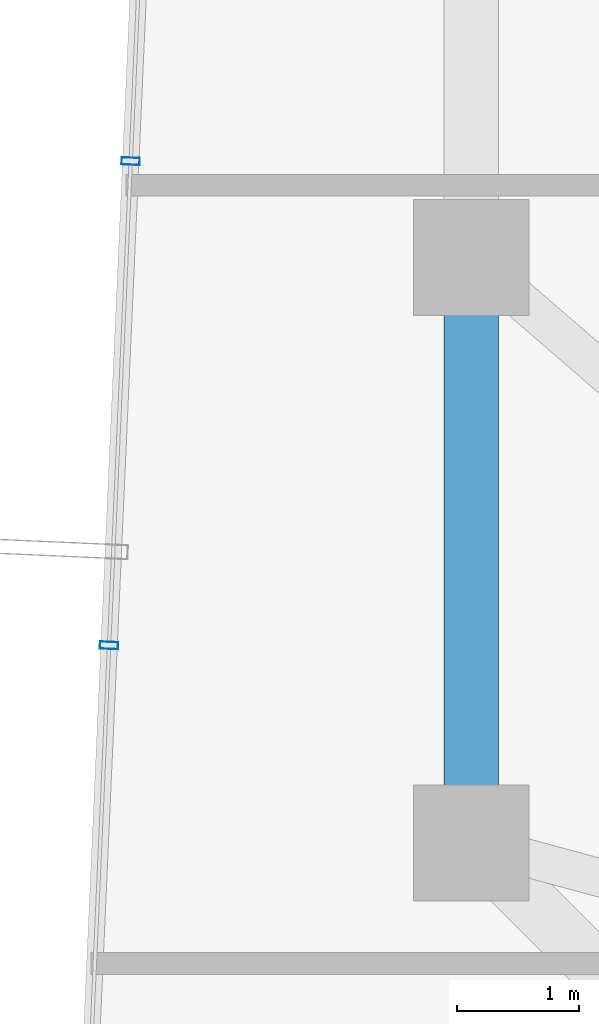
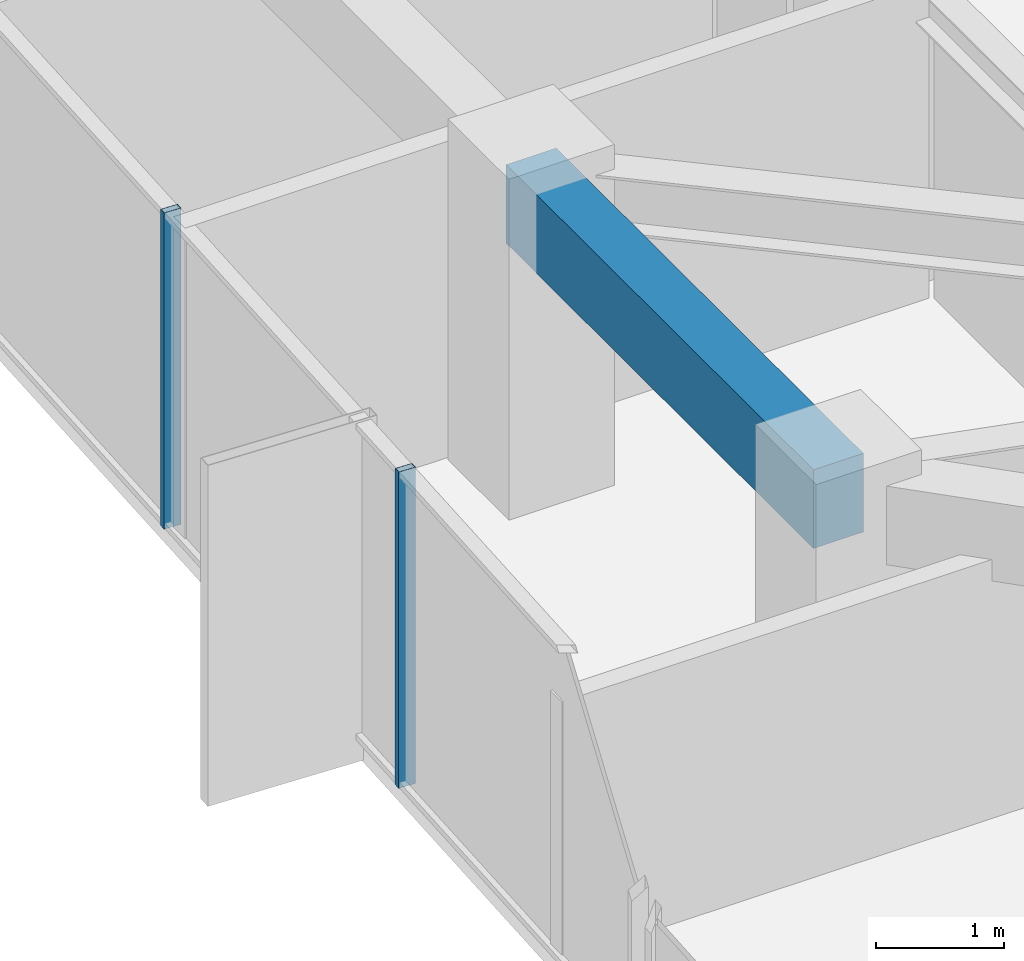
# One storey, part 11 of 29: 2 members, 1 beam, 1 element without a shape of its own.
"""IFC4 building model written with IfcOpenShell, lengths in metres."""

import ifcopenshell
import ifcopenshell.guid

model = None  # the IFC model being written
_history = None  # IfcOwnerHistory: only IFC2X3 demands one
_inside = {}  # id of a spatial element -> (the spatial element, [elements in it])
_under = {}  # id of a project, library or spatial element -> (it, [spatial elements below it])
_declared = {}  # id of a project -> (the project, [libraries it declares])
_typed = {}  # id of a type object -> (the type object, [elements of that type])
_made_of = {}  # id of a material, layer set ... -> (it, [elements and type objects made of it])


def new_model(schema):
    """Start an empty IFC model of exactly this schema.

    Asked for "IFC4X3", IfcOpenShell would pick the latest addendum, in which some entities
    have other attributes; the version numbers below select the first issue.
    IFC2X3 requires an IfcOwnerHistory on every rooted entity: one is made here for all.
    """
    global model, _history
    if schema == "IFC4X3":
        model = ifcopenshell.file(schema_version=(4, 3, 0, 0))
    else:
        model = ifcopenshell.file(schema=schema)
    _inside.clear()
    _under.clear()
    _declared.clear()
    _typed.clear()
    _made_of.clear()
    _history = None
    if model.schema == "IFC2X3":
        org = make("IfcOrganization", Name="unknown")
        user = make(
            "IfcPersonAndOrganization",
            ThePerson=make("IfcPerson", FamilyName="unknown"),
            TheOrganization=org,
        )
        app = make(
            "IfcApplication",
            ApplicationDeveloper=org,
            Version="unknown",
            ApplicationFullName="unknown",
            ApplicationIdentifier="unknown",
        )
        _history = make(
            "IfcOwnerHistory",
            OwningUser=user,
            OwningApplication=app,
            ChangeAction="ADDED",
            CreationDate=0,
        )
    return model


def make(cls, **values):
    """One entity of the class cls with the attributes given. An attribute that is None is left unset."""
    return model.create_entity(
        cls, **{name: value for name, value in values.items() if value is not None}
    )


def rooted(cls, **values):
    """An entity with a GlobalId (a new one), such as an element, a storey or a relation."""
    return make(cls, GlobalId=ifcopenshell.guid.new(), OwnerHistory=_history, **values)


def si_unit(unit_type, name, prefix=None):
    """IfcSIUnit, for example si_unit("LENGTHUNIT", "METRE", prefix="MILLI")."""
    return make("IfcSIUnit", UnitType=unit_type, Prefix=prefix, Name=name)


def assignment(units):
    """IfcUnitAssignment: the units of a project."""
    return None if units is None else make("IfcUnitAssignment", Units=units)


def point(xyz):
    """IfcCartesianPoint."""
    return None if xyz is None else make("IfcCartesianPoint", Coordinates=xyz)


def direction(xyz):
    """IfcDirection."""
    return None if xyz is None else make("IfcDirection", DirectionRatios=xyz)


def frame(location, z_axis=None, x_axis=None):
    """IfcAxis2Placement3D, a coordinate frame: its origin and axes. An axis left out is left unset."""
    return make(
        "IfcAxis2Placement3D",
        Location=point(location),
        Axis=direction(z_axis),
        RefDirection=direction(x_axis),
    )


def frame_2d(location, x_axis=None):
    """IfcAxis2Placement2D, a coordinate frame in the plane: its origin and x axis."""
    return make(
        "IfcAxis2Placement2D", Location=point(location), RefDirection=direction(x_axis)
    )


def origin():
    """The frame at (0, 0, 0) with its axes left unset."""
    return frame((0.0, 0.0, 0.0))


def origin_2d():
    """The frame at (0, 0) in the plane with its x axis left unset."""
    return frame_2d((0.0, 0.0))


def place(relative_to, where):
    """IfcLocalPlacement: puts the frame where relative to a parent placement (None: the world)."""
    return make(
        "IfcLocalPlacement", PlacementRelTo=relative_to, RelativePlacement=where
    )


def context(
    kind, dimensions, precision=None, world=None, true_north=None, identifier=None
):
    """IfcGeometricRepresentationContext, for example the 3D "Model" context."""
    return make(
        "IfcGeometricRepresentationContext",
        ContextIdentifier=identifier,
        ContextType=kind,
        CoordinateSpaceDimension=dimensions,
        Precision=precision,
        WorldCoordinateSystem=world,
        TrueNorth=true_north,
    )


def subcontext(parent, identifier, kind, view, scale=None):
    """IfcGeometricRepresentationSubContext, for example "Body" below "Model"."""
    return make(
        "IfcGeometricRepresentationSubContext",
        ContextIdentifier=identifier,
        ContextType=kind,
        ParentContext=parent,
        TargetScale=scale,
        TargetView=view,
    )


def project(units=None, contexts=None):
    """IfcProject with its units and contexts."""
    return rooted(
        "IfcProject",
        Name="project",
        RepresentationContexts=contexts,
        UnitsInContext=assignment(units),
    )


def spatial(cls, under=None, at=None, **own):
    """A site, building, storey or space (cls), placed at a placement, below another one or the project."""
    s = rooted(cls, ObjectPlacement=at, **own)
    if under is not None:
        _under.setdefault(under.id(), (under, []))[1].append(s)
    return s


def profile(cls, at=None, kind="AREA", **sizes):
    """A parametric profile (cls). Its sizes go by their IFC names, for example OverallWidth=200.0."""
    return make(cls, ProfileType=kind, Position=at, **sizes)


def rectangle(**sizes):
    """IfcRectangleProfileDef."""
    return profile("IfcRectangleProfileDef", **sizes)


def hollow_rectangle(**sizes):
    """IfcRectangleHollowProfileDef."""
    return profile("IfcRectangleHollowProfileDef", **sizes)


def extrude(swept, where, along, depth):
    """IfcExtrudedAreaSolid: the profile swept, set in the frame where, extruded along a direction by depth."""
    return make(
        "IfcExtrudedAreaSolid",
        SweptArea=swept,
        Position=where,
        ExtrudedDirection=direction(along),
        Depth=depth,
    )


def shape(context_of_items, identifier, shape_type, items):
    """IfcShapeRepresentation: the items that make up one representation, for example the "Body"."""
    return make(
        "IfcShapeRepresentation",
        ContextOfItems=context_of_items,
        RepresentationIdentifier=identifier,
        RepresentationType=shape_type,
        Items=items,
    )


def source(mapping_origin, context_of_items, identifier, shape_type, items):
    """IfcRepresentationMap: a shape defined once, which mapped items show again and again."""
    return make(
        "IfcRepresentationMap",
        MappingOrigin=mapping_origin,
        MappedRepresentation=shape(context_of_items, identifier, shape_type, items),
    )


def transform(
    local_origin,
    x_axis=None,
    y_axis=None,
    z_axis=None,
    scale=None,
    scale2=None,
    scale3=None,
    uniform=True,
):
    """IfcCartesianTransformationOperator3D, or its non-uniform kind. x_axis, y_axis, z_axis: its Axis1, 2, 3."""
    if uniform:
        return make(
            "IfcCartesianTransformationOperator3D",
            Axis1=direction(x_axis),
            Axis2=direction(y_axis),
            LocalOrigin=point(local_origin),
            Scale=scale,
            Axis3=direction(z_axis),
        )
    return make(
        "IfcCartesianTransformationOperator3DnonUniform",
        Axis1=direction(x_axis),
        Axis2=direction(y_axis),
        LocalOrigin=point(local_origin),
        Scale=scale,
        Axis3=direction(z_axis),
        Scale2=scale2,
        Scale3=scale3,
    )


def mapped(mapping_source, mapping_target):
    """IfcMappedItem: shows the shape of a source again, moved by a transform."""
    return make(
        "IfcMappedItem", MappingSource=mapping_source, MappingTarget=mapping_target
    )


def material(Name=None, Category=None):
    """IfcMaterial."""
    return make("IfcMaterial", Name=Name, Category=Category)


def layer(
    of_material, thickness, ventilated=None, Name=None, Category=None, Priority=None
):
    """IfcMaterialLayer: one layer of a wall or slab, of a material (None: an air gap)."""
    return make(
        "IfcMaterialLayer",
        Material=of_material,
        LayerThickness=thickness,
        IsVentilated=ventilated,
        Name=Name,
        Category=Category,
        Priority=Priority,
    )


def layer_set(layers, Name=None):
    """IfcMaterialLayerSet."""
    return make("IfcMaterialLayerSet", MaterialLayers=layers, LayerSetName=Name)


def material_profile(
    of_material, cross_section, Name=None, Category=None, Priority=None
):
    """IfcMaterialProfile: a cross section and its material."""
    return make(
        "IfcMaterialProfile",
        Name=Name,
        Material=of_material,
        Profile=cross_section,
        Priority=Priority,
        Category=Category,
    )


def profile_set(profiles, Name=None, composite=None):
    """IfcMaterialProfileSet."""
    return make(
        "IfcMaterialProfileSet",
        Name=Name,
        MaterialProfiles=profiles,
        CompositeProfile=composite,
    )


def made_of(thing, what):
    """Note that an element or type object is made of a material, layer set ...; save() writes the relation."""
    if what is not None:
        _made_of.setdefault(what.id(), (what, []))[1].append(thing)
    return thing


def type_object(cls, material=None, **own):
    """A type object (cls), such as IfcWallType, which elements share."""
    return made_of(rooted(cls, **own), material)


def element(
    cls,
    number,
    at=None,
    inside=None,
    cuts=None,
    type_object=None,
    material=None,
    context=None,
    identifier="Body",
    shape_type=None,
    held_by="IfcProductDefinitionShape",
    body=None,
    shapes=None,
    **own,
):
    """One element of the class cls, such as IfcWall. Its Tag is "e" and its number.

    at: its placement. inside: the storey or other place that contains it. cuts: it is an
    opening in that element (IfcRelVoidsElement). A single representation is given by context,
    identifier, shape_type and body (its items); several are given by shapes. held_by: the class
    of the entity that holds the representations. save() writes the other relations.
    """
    e = rooted(cls, Tag="e%d" % number, ObjectPlacement=at, **own)
    if body is not None:
        shapes = [shape(context, identifier, shape_type, body)]
    if shapes is not None:
        e.Representation = make(held_by, Representations=shapes)
    if inside is not None:
        _inside.setdefault(inside.id(), (inside, []))[1].append(e)
    if cuts is not None:
        rooted(
            "IfcRelVoidsElement", RelatingBuildingElement=cuts, RelatedOpeningElement=e
        )
    if type_object is not None:
        _typed.setdefault(type_object.id(), (type_object, []))[1].append(e)
    return made_of(e, material)


def aggregate(whole, parts):
    """IfcRelAggregates: a whole, such as a stair, and the parts it consists of."""
    return rooted("IfcRelAggregates", RelatingObject=whole, RelatedObjects=parts)


def save(model, path):
    """Write the relations noted so far, then the file.

    IfcRelAggregates (storeys below a building ...), IfcRelContainedInSpatialStructure (elements
    in a storey), IfcRelDefinesByType, IfcRelAssociatesMaterial and IfcRelDeclares: one each for
    every whole, place, type object, material and project.
    """
    for whole, parts in _under.values():
        aggregate(whole, parts)
    for where, things in _inside.values():
        rooted(
            "IfcRelContainedInSpatialStructure",
            RelatedElements=things,
            RelatingStructure=where,
        )
    for kind, things in _typed.values():
        rooted("IfcRelDefinesByType", RelatedObjects=things, RelatingType=kind)
    for what, things in _made_of.values():
        rooted("IfcRelAssociatesMaterial", RelatedObjects=things, RelatingMaterial=what)
    for by, libraries in _declared.values():
        rooted("IfcRelDeclares", RelatingContext=by, RelatedDefinitions=libraries)
    model.write(path)


model = new_model("IFC4")

# Units and contexts
model_context = context("Model", 3, precision=1e-05, world=origin(), true_north=direction((0.0, 1.0)))
body_context = subcontext(model_context, "Body", "Model", "MODEL_VIEW")
ifc_project = project(units=[si_unit("LENGTHUNIT", "METRE"), si_unit("AREAUNIT", "SQUARE_METRE"), si_unit("VOLUMEUNIT", "CUBIC_METRE"), si_unit("PLANEANGLEUNIT", "RADIAN"), si_unit("MASSUNIT", "GRAM", prefix="KILO")], contexts=[model_context])

# Site, building, storey
site_placement = place(None, origin())
site = spatial("IfcSite", under=ifc_project, at=site_placement, CompositionType="ELEMENT")
building_placement = place(site_placement, origin())
building = spatial("IfcBuilding", under=site, at=building_placement, Name="Veraguas Prism Commons", CompositionType="ELEMENT")
storey_placement = place(building_placement, frame((0.0, 0.0, 215.64990234375)))
storey = spatial("IfcBuildingStorey", under=building, at=storey_placement, Name="L61", CompositionType="ELEMENT", Elevation=215.64990234375)

# Beam
ifc_material_1 = material(Name="Concrete C50/60", Category="concrete")
ifc_material_profile_1 = material_profile(ifc_material_1, rectangle(XDim=0.449951171875, YDim=0.75, at=origin_2d()), Name="RC450X750")
ifc_profile_set_1 = profile_set([ifc_material_profile_1], Name="Concrete C50/60")
beam_type = type_object("IfcBeamType", Name="Perimeter Spandrel Upper RC 450x750", PredefinedType="SPANDREL", material=ifc_profile_set_1)
beam_placement = place(storey_placement, frame((9.10009765625, 24.0, 2.64013671875), z_axis=(0.0, -1.0, 0.0), x_axis=(1.0, 0.0, 0.0)))
element("IfcBeam", 1, at=beam_placement, inside=storey, type_object=beam_type, Name="Perimeter Spandrel Beam L61-SP08", PredefinedType="SPANDREL", context=body_context, shape_type="SweptSolid", body=[
    extrude(rectangle(XDim=0.449951171875, YDim=0.75, at=origin_2d()), origin(), (0.0, 0.0, 1.0), 4.800048828125),
])

# Curtain wall, members
ifc_material_2 = material(Name="Anodised aluminium EN AW-6063 T6", Category="aluminium")
ifc_layer = layer(ifc_material_2, 0.14990234375, Name="Unitised Flush Curtain Wall Zone 3", Category="aluminium")
ifc_layer_set = layer_set([ifc_layer], Name="Anodised aluminium EN AW-6063 T6")
curtain_wall_type = type_object("IfcCurtainWallType", Name="Unitised Flush Curtain Wall Zone 3", PredefinedType="NOTDEFINED", material=ifc_layer_set)
curtain_wall_placement = place(storey_placement, origin())
curtain_wall = element("IfcCurtainWall", 2, at=curtain_wall_placement, inside=storey, type_object=curtain_wall_type, Name="Tower Facade Curtain Wall L61-F3", PredefinedType="NOTDEFINED")
ifc_material_profile_2 = material_profile(ifc_material_2, hollow_rectangle(XDim=0.06005859375, YDim=0.14990234375, WallThickness=0.0029296875, at=origin_2d()), Name="AL60X150X3")
ifc_profile_set_2 = profile_set([ifc_material_profile_2], Name="Anodised aluminium EN AW-6063 T6")
member_type = type_object("IfcMemberType", Name="Curtain Wall Mullion Upper AL 60x150x3", PredefinedType="MULLION", material=ifc_profile_set_2)
shared_shape = source(origin(), body_context, "Body", "SweptSolid", [
    extrude(hollow_rectangle(XDim=0.06005859375, YDim=0.14990234375, WallThickness=0.0029296875, at=origin_2d()), origin(), (0.0, 0.0, 1.0), 3.01513671875),
])
member_1_placement = place(storey_placement, frame((6.307373046875, 24.791015625, 0.0), z_axis=(0.0, 0.0, 1.0), x_axis=(-0.044665564108, -0.999001995685, 0.0)))
member_1 = element("IfcMember", 3, at=member_1_placement, type_object=member_type, Name="CW-Z3 Mullion 3", PredefinedType="MULLION", context=body_context, shape_type="MappedRepresentation", body=[
    mapped(shared_shape, transform((0.0, 0.0, 0.0), scale=1.0)),
])
member_2_placement = place(storey_placement, frame((6.1298828125, 20.8193359375, 0.0), z_axis=(0.0, 0.0, 1.0), x_axis=(-0.044665564108, -0.999001995685, 0.0)))
member_2 = element("IfcMember", 4, at=member_2_placement, type_object=member_type, Name="CW-Z3 Mullion 4", PredefinedType="MULLION", context=body_context, shape_type="MappedRepresentation", body=[
    mapped(shared_shape, transform((0.0, 0.0, 0.0), scale=1.0)),
])
aggregate(curtain_wall, [member_1, member_2])

save(model, "model.ifc")
